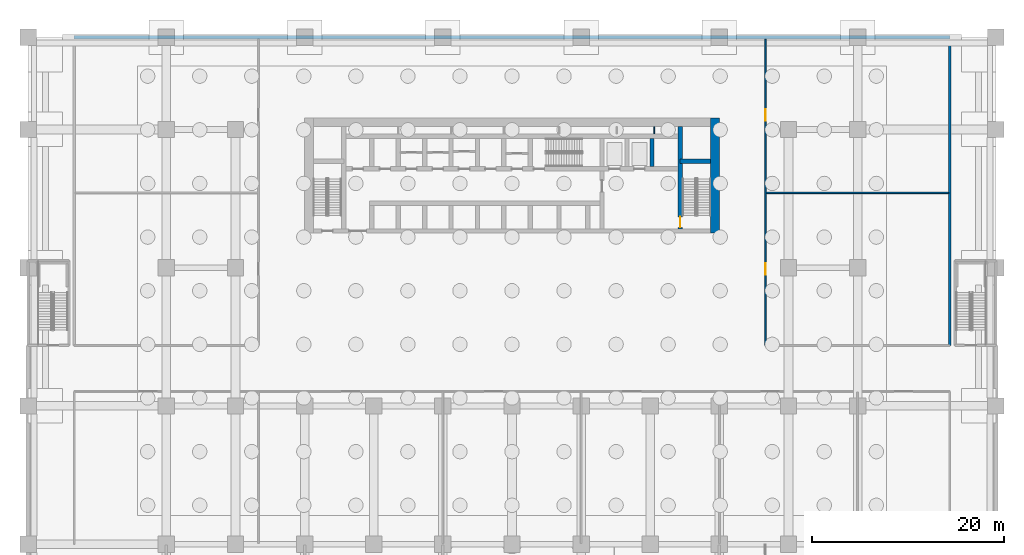
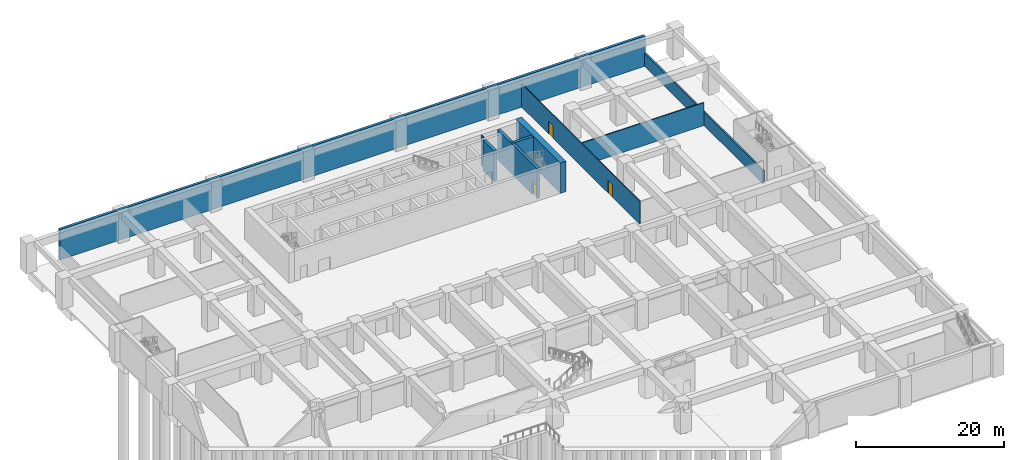
# One storey, part 9 of 20: 9 walls, 3 doors, 3 openings.
"""IFC4 building model written with IfcOpenShell, lengths in metres."""

from ifc_helpers import new_model, si_unit, direction, frame, frame_2d, origin, place, context, subcontext, project, spatial, rectangle, extrude, material, layer, layer_set, type_object, element, fill, save


model = new_model("IFC4")

# Units and contexts
model_context = context("Model", 3, precision=1e-05, world=origin(), true_north=direction((0.0, 1.0)))
body_context = subcontext(model_context, "Body", "Model", "MODEL_VIEW")
ifc_project = project(units=[si_unit("LENGTHUNIT", "METRE"), si_unit("AREAUNIT", "SQUARE_METRE"), si_unit("VOLUMEUNIT", "CUBIC_METRE"), si_unit("PLANEANGLEUNIT", "RADIAN"), si_unit("MASSUNIT", "GRAM", prefix="KILO")], contexts=[model_context])

# Site, building, storey
site_placement = place(None, origin())
site = spatial("IfcSite", under=ifc_project, at=site_placement, CompositionType="ELEMENT")
building_placement = place(site_placement, origin())
building = spatial("IfcBuilding", under=site, at=building_placement, Name="Saffron Iwan Residences", CompositionType="ELEMENT")
storey_placement = place(building_placement, frame((0.0, 0.0, -5.39990234375)))
storey = spatial("IfcBuildingStorey", under=building, at=storey_placement, Name="B1", CompositionType="ELEMENT", Elevation=-5.39990234375)

# Walls
ifc_material_1 = material(Name="Concrete C40/50", Category="concrete")
ifc_layer_1 = layer(ifc_material_1, 0.39990234375)
ifc_layer_set_1 = layer_set([ifc_layer_1], Name="Concrete C40/50")
wall_type_1 = type_object("IfcWallType", Name="Basement wall 400", PredefinedType="SOLIDWALL", material=ifc_layer_set_1)
wall_1_placement = place(storey_placement, frame((4.800048828125, 86.39990234375, 0.0), z_axis=(0.0, 0.0, 1.0), x_axis=(1.0, 0.0, 0.0)))
element("IfcWall", 1, at=wall_1_placement, inside=storey, type_object=wall_type_1, Name="W-B1-023", PredefinedType="SOLIDWALL", context=body_context, shape_type="SweptSolid", body=[
    extrude(rectangle(XDim=91.199951171875, YDim=0.39990234375, at=frame_2d((45.60009765625, 0.0))), origin(), (0.0, 0.0, 1.0), 5.0),
])
ifc_material_2 = material(Name="Concrete blockwork", Category="masonry")
ifc_layer_2 = layer(ifc_material_2, 0.14990234375)
ifc_layer_set_2 = layer_set([ifc_layer_2], Name="Concrete blockwork")
wall_type_2 = type_object("IfcWallType", Name="Blockwork partition 150", PredefinedType="PARTITIONING", material=ifc_layer_set_2)
wall_2_placement = place(storey_placement, frame((76.875, 70.199951171875, 0.0), z_axis=(0.0, 0.0, 1.0), x_axis=(1.0, 0.0, 0.0)))
element("IfcWall", 2, at=wall_2_placement, inside=storey, type_object=wall_type_2, Name="W-B1-022", PredefinedType="PARTITIONING", context=body_context, shape_type="SweptSolid", body=[
    extrude(rectangle(XDim=19.0, YDim=0.14990234375, at=frame_2d((9.5, 0.0))), origin(), (0.0, 0.0, 1.0), 3.7998046875),
])

# Wall, openings, doors
wall_3_placement = place(storey_placement, frame((76.800048828125, 54.300048828125, 0.0), z_axis=(0.0, 0.0, 1.0), x_axis=(0.0, 1.0, 0.0)))
wall_3 = element("IfcWall", 3, at=wall_3_placement, inside=storey, type_object=wall_type_2, Name="W-B1-045", PredefinedType="PARTITIONING", context=body_context, shape_type="SweptSolid", body=[
    extrude(rectangle(XDim=31.89990234375, YDim=0.14990234375, at=frame_2d((15.949951171875, 0.0))), origin(), (0.0, 0.0, 1.0), 3.7998046875),
])
opening_1_placement = place(wall_3_placement, frame((7.35009765625, 0.0, 0.0)))
opening_1 = element("IfcOpeningElement", 4, at=opening_1_placement, cuts=wall_3, Name="Opening B1.19", PredefinedType="OPENING", context=body_context, shape_type="SweptSolid", body=[
    extrude(rectangle(XDim=1.199951171875, YDim=2.10009765625, at=frame_2d((0.60009765625, 1.050048828125))), frame((0.0, 0.0849609375, 0.0), z_axis=(0.0, -1.0, 0.0), x_axis=(1.0, 0.0, 0.0)), (0.0, 0.0, 1.0), 0.169921875),
])
opening_2_placement = place(wall_3_placement, frame((23.39990234375, 0.0, 0.0)))
opening_2 = element("IfcOpeningElement", 5, at=opening_2_placement, cuts=wall_3, Name="Opening B1.20", PredefinedType="OPENING", context=body_context, shape_type="SweptSolid", body=[
    extrude(rectangle(XDim=1.199951171875, YDim=2.10009765625, at=frame_2d((0.60009765625, 1.050048828125))), frame((0.0, 0.0849609375, 0.0), z_axis=(0.0, -1.0, 0.0), x_axis=(1.0, 0.0, 0.0)), (0.0, 0.0, 1.0), 0.169921875),
])
ifc_material_3 = material(Name="Steel", Category="steel")
door_type_1 = type_object("IfcDoorType", Name="Fire door 1200x2100", OperationType="NOTDEFINED", PredefinedType="DOOR", material=ifc_material_3)
door_1_placement = place(opening_1_placement, origin())
door_1 = element("IfcDoor", 6, at=door_1_placement, inside=storey, type_object=door_type_1, Name="D-B1-019", OperationType="SINGLE_SWING_LEFT", OverallHeight=2.10009765625, OverallWidth=1.199951171875, PredefinedType="DOOR", context=body_context, shape_type="SweptSolid", body=[
    extrude(rectangle(XDim=1.199951171875, YDim=2.10009765625, at=frame_2d((0.60009765625, 1.050048828125))), frame((0.0, 0.02490234375, 0.0), z_axis=(0.0, -1.0, 0.0), x_axis=(1.0, 0.0, 0.0)), (0.0, 0.0, 1.0), 0.050048828125),
])
fill(opening_1, door_1)
door_2_placement = place(opening_2_placement, origin())
door_2 = element("IfcDoor", 7, at=door_2_placement, inside=storey, type_object=door_type_1, Name="D-B1-020", OperationType="SINGLE_SWING_RIGHT", OverallHeight=2.10009765625, OverallWidth=1.199951171875, PredefinedType="DOOR", context=body_context, shape_type="SweptSolid", body=[
    extrude(rectangle(XDim=1.199951171875, YDim=2.10009765625, at=frame_2d((0.60009765625, 1.050048828125))), frame((0.0, 0.02490234375, 0.0), z_axis=(0.0, -1.0, 0.0), x_axis=(1.0, 0.0, 0.0)), (0.0, 0.0, 1.0), 0.050048828125),
])
fill(opening_2, door_2)

# Walls
ifc_layer_3 = layer(ifc_material_1, 0.25)
ifc_layer_set_3 = layer_set([ifc_layer_3], Name="Concrete C40/50")
wall_type_3 = type_object("IfcWallType", Name="Fire compartment wall 250", PredefinedType="SOLIDWALL", material=ifc_layer_set_3)
wall_4_placement = place(storey_placement, frame((96.0, 54.300048828125, 0.0), z_axis=(0.0, 0.0, 1.0), x_axis=(0.0, 1.0, 0.0)))
element("IfcWall", 8, at=wall_4_placement, inside=storey, type_object=wall_type_3, Name="W-B1-051", PredefinedType="SOLIDWALL", context=body_context, shape_type="SweptSolid", body=[
    extrude(rectangle(XDim=32.099853515625, YDim=0.25, at=frame_2d((16.0498046875, 0.0))), origin(), (0.0, 0.0, 1.0), 2.199951171875),
])
ifc_material_4 = material(Name="Fire-rated plasterboard partition")
ifc_layer_4 = layer(ifc_material_4, 0.10009765625)
ifc_layer_set_4 = layer_set([ifc_layer_4], Name="Fire-rated plasterboard partition")
wall_type_4 = type_object("IfcWallType", Name="Riser partition 100", PredefinedType="PARTITIONING", material=ifc_layer_set_4)
wall_5_placement = place(storey_placement, frame((65.199951171875, 76.324951171875, 0.0), z_axis=(0.0, 0.0, 1.0), x_axis=(0.0, 1.0, 0.0)))
element("IfcWall", 9, at=wall_5_placement, inside=storey, type_object=wall_type_4, Name="Core partition P10", PredefinedType="PARTITIONING", context=body_context, shape_type="SweptSolid", body=[
    extrude(rectangle(XDim=0.775146484375, YDim=0.10009765625, at=frame_2d((0.3876953125, 0.0))), origin(), (0.0, 0.0, 1.0), 5.0),
])
ifc_material_5 = material(Name="Concrete C60/75", Category="concrete")
ifc_layer_5 = layer(ifc_material_5, 0.449951171875)
ifc_layer_set_5 = layer_set([ifc_layer_5], Name="Concrete C60/75")
wall_type_5 = type_object("IfcWallType", Name="WALL CORE 450 C60/75 5000 HIGH", PredefinedType="SHEAR", material=ifc_layer_set_5)
wall_6_placement = place(storey_placement, frame((67.925048828125, 73.47509765625, 0.0), z_axis=(0.0, 0.0, 1.0), x_axis=(1.0, 0.0, 0.0)))
element("IfcWall", 10, at=wall_6_placement, inside=storey, type_object=wall_type_5, Name="Core wall", PredefinedType="SHEAR", context=body_context, shape_type="SweptSolid", body=[
    extrude(rectangle(XDim=3.175048828125, YDim=0.449951171875, at=frame_2d((1.58740234375, 0.0))), origin(), (0.0, 0.0, 1.0), 5.0),
])

# Wall, opening, door
wall_7_placement = place(storey_placement, frame((67.925048828125, 66.449951171875, 0.0), z_axis=(0.0, 0.0, 1.0), x_axis=(0.0, 1.0, 0.0)))
wall_7 = element("IfcWall", 11, at=wall_7_placement, inside=storey, type_object=wall_type_5, Name="Core wall", PredefinedType="SHEAR", context=body_context, shape_type="SweptSolid", body=[
    extrude(rectangle(XDim=10.650146484375, YDim=0.449951171875, at=frame_2d((5.3251953125, 0.0))), origin(), (0.0, 0.0, 1.0), 5.0),
])
opening_3_placement = place(wall_7_placement, frame((0.14990234375, 0.0, 0.0)))
opening_3 = element("IfcOpeningElement", 12, at=opening_3_placement, cuts=wall_7, Name="Opening SD", PredefinedType="OPENING", context=body_context, shape_type="SweptSolid", body=[
    extrude(rectangle(XDim=1.10009765625, YDim=2.10009765625, at=frame_2d((0.550048828125, 1.050048828125))), frame((0.0, 0.23486328125, 0.0), z_axis=(0.0, -1.0, 0.0), x_axis=(1.0, 0.0, 0.0)), (0.0, 0.0, 1.0), 0.469970703125),
])
ifc_material_6 = material(Name="Steel fire door", Category="steel")
door_type_2 = type_object("IfcDoorType", Name="Stair door 1100", OperationType="NOTDEFINED", PredefinedType="DOOR", material=ifc_material_6)
door_3_placement = place(opening_3_placement, origin())
door_3 = element("IfcDoor", 13, at=door_3_placement, inside=storey, type_object=door_type_2, Name="Stair door ST-E", OperationType="SINGLE_SWING_LEFT", OverallHeight=2.10009765625, OverallWidth=1.10009765625, PredefinedType="DOOR", context=body_context, shape_type="SweptSolid", body=[
    extrude(rectangle(XDim=1.10009765625, YDim=2.10009765625, at=frame_2d((0.550048828125, 1.050048828125))), frame((0.0, 0.02490234375, 0.0), z_axis=(0.0, -1.0, 0.0), x_axis=(1.0, 0.0, 0.0)), (0.0, 0.0, 1.0), 0.050048828125),
])
fill(opening_3, door_3)

# Walls
wall_8_placement = place(storey_placement, frame((64.97509765625, 72.925048828125, 0.0), z_axis=(0.0, 0.0, 1.0), x_axis=(0.0, 1.0, 0.0)))
element("IfcWall", 14, at=wall_8_placement, inside=storey, type_object=wall_type_5, Name="Core wall", PredefinedType="SHEAR", context=body_context, shape_type="SweptSolid", body=[
    extrude(rectangle(XDim=2.949951171875, YDim=0.449951171875, at=frame_2d((1.47509765625, 0.0))), origin(), (0.0, 0.0, 1.0), 5.0),
])
ifc_layer_6 = layer(ifc_material_5, 0.89990234375)
ifc_layer_set_6 = layer_set([ifc_layer_6], Name="Concrete C60/75")
wall_type_6 = type_object("IfcWallType", Name="WALL CORE 900 C60/75 5000 HIGH", PredefinedType="SHEAR", material=ifc_layer_set_6)
wall_9_placement = place(storey_placement, frame((71.550048828125, 66.0, 0.0), z_axis=(0.0, 0.0, 1.0), x_axis=(0.0, 1.0, 0.0)))
element("IfcWall", 15, at=wall_9_placement, inside=storey, type_object=wall_type_6, Name="Core wall", PredefinedType="SHEAR", context=body_context, shape_type="SweptSolid", body=[
    extrude(rectangle(XDim=12.0, YDim=0.89990234375, at=frame_2d((6.0, 0.0))), origin(), (0.0, 0.0, 1.0), 5.0),
])

save(model, "model.ifc")
